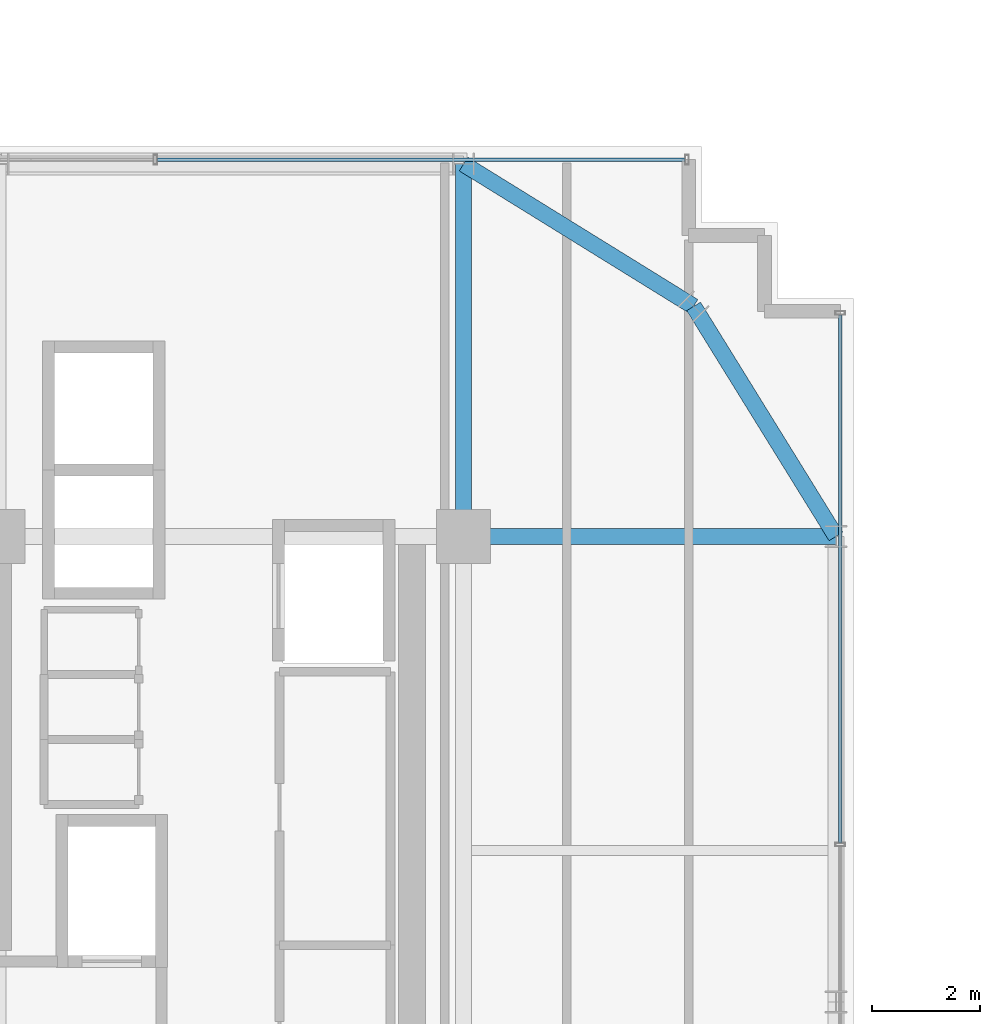
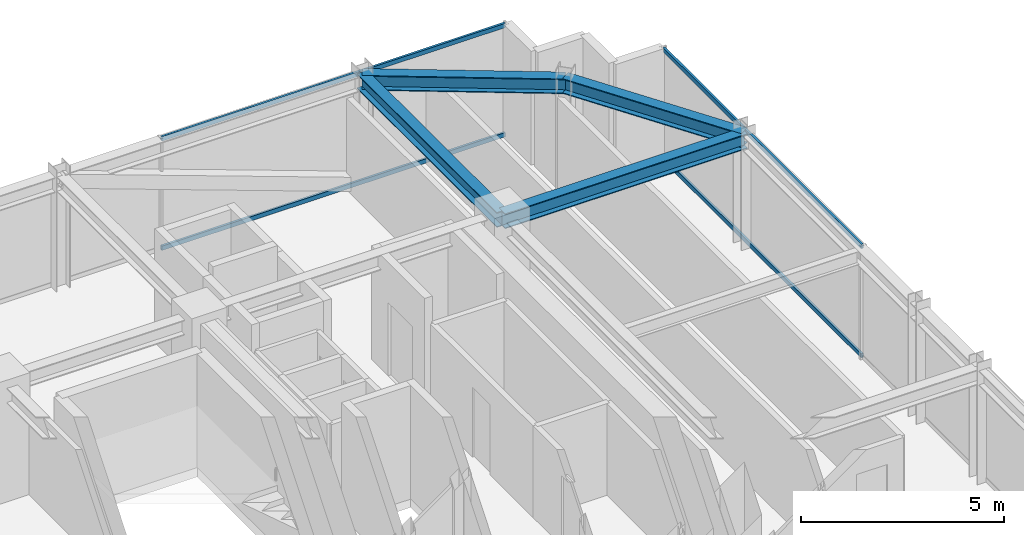
# One storey, part 27 of 36: 4 beams, 4 members, 2 elements without a shape of their own.
"""IFC4 building model written with IfcOpenShell, lengths in metres."""

from ifc_helpers import new_model, si_unit, direction, frame, origin, origin_2d, place, context, subcontext, project, spatial, hollow_rectangle, i_section, extrude, source, transform, mapped, material, material_profile, profile_set, type_object, element, aggregate, save


model = new_model("IFC4")

# Units and contexts
model_context = context("Model", 3, precision=1e-05, world=origin(), true_north=direction((0.0, 1.0)))
body_context = subcontext(model_context, "Body", "Model", "MODEL_VIEW")
ifc_project = project(units=[si_unit("LENGTHUNIT", "METRE"), si_unit("AREAUNIT", "SQUARE_METRE"), si_unit("VOLUMEUNIT", "CUBIC_METRE"), si_unit("PLANEANGLEUNIT", "RADIAN"), si_unit("MASSUNIT", "GRAM", prefix="KILO")], contexts=[model_context])

# Site, building, storey
site_placement = place(None, origin())
site = spatial("IfcSite", under=ifc_project, at=site_placement, CompositionType="ELEMENT")
building_placement = place(site_placement, origin())
building = spatial("IfcBuilding", under=site, at=building_placement, Name="Nahalor Promenade Grand Hotel", CompositionType="ELEMENT")
storey_placement = place(building_placement, frame((0.0, 0.0, 234.5)))
storey = spatial("IfcBuildingStorey", under=building, at=storey_placement, Name="L60", CompositionType="ELEMENT", Elevation=234.5)

# Beams
ifc_material_1 = material(Name="Steel S355JR", Category="steel")
ifc_material_profile_1 = material_profile(ifc_material_1, i_section(OverallWidth=0.3, OverallDepth=0.45, WebThickness=0.014, FlangeThickness=0.026, at=origin_2d()), Name="HEB 450")
ifc_profile_set_1 = profile_set([ifc_material_profile_1], Name="Steel S355JR")
beam_type_1 = type_object("IfcBeamType", Name="Beam-Spandrel-HEB450", PredefinedType="SPANDREL", material=ifc_profile_set_1)
shared_shape_1 = source(origin(), body_context, "Body", "SweptSolid", [
    extrude(i_section(OverallWidth=0.3, OverallDepth=0.45, WebThickness=0.014, FlangeThickness=0.026, at=origin_2d()), origin(), (0.0, 0.0, 1.0), 4.997802734375),
])
for number, where, z_axis, x_axis, name in (
    (1, (17.0, 23.8798828125, 3.18505859375), (0.850360908404, -0.526199891161, 0.0), (0.526199891161, 0.850360908404, 0.0), "BM-L60-SPC-NE-1"),
    (2, (21.25, 21.25, 3.18505859375), (0.526199891161, -0.850360908404, 0.0), (0.850360908404, 0.526199891161, 0.0), "BM-L60-SPC-NE-2"),
):
    element("IfcBeam", number, at=place(storey_placement, frame(where, z_axis=z_axis, x_axis=x_axis)), inside=storey, type_object=beam_type_1, Name=name, PredefinedType="SPANDREL", context=body_context, shape_type="MappedRepresentation", body=[
        mapped(shared_shape_1, transform((0.0, 0.0, 0.0), scale=1.0)),
    ])
ifc_material_profile_2 = material_profile(ifc_material_1, i_section(OverallWidth=0.3, OverallDepth=0.45, WebThickness=0.014, FlangeThickness=0.026, at=origin_2d()), Name="HEB 450")
ifc_profile_set_2 = profile_set([ifc_material_profile_2], Name="Steel S355JR")
beam_type_2 = type_object("IfcBeamType", Name="Beam-Girder-HEB450", PredefinedType="BEAM", material=ifc_profile_set_2)
shared_shape_2 = source(origin(), body_context, "Body", "SweptSolid", [
    extrude(i_section(OverallWidth=0.3, OverallDepth=0.45, WebThickness=0.014, FlangeThickness=0.026, at=origin_2d()), origin(), (0.0, 0.0, 1.0), 6.8798828125),
])
for number, where, z_axis, x_axis, name in (
    (3, (17.0, 17.0, 3.18505859375), (1.0, 0.0, 0.0), (0.0, 1.0, 0.0), "BM-L60-GX-3-6"),
    (4, (17.0, 17.0, 3.18505859375), (0.0, 1.0, 0.0), (-1.0, 0.0, 0.0), "BM-L60-GY-5-4"),
):
    element("IfcBeam", number, at=place(storey_placement, frame(where, z_axis=z_axis, x_axis=x_axis)), inside=storey, type_object=beam_type_2, Name=name, PredefinedType="BEAM", context=body_context, shape_type="MappedRepresentation", body=[
        mapped(shared_shape_2, transform((0.0, 0.0, 0.0), scale=1.0)),
    ])

# Curtain wall, members
ifc_material_2 = material(Name="Anodised Bronze Aluminium EN AW-6063 T6", Category="aluminium")
curtain_wall_type = type_object("IfcCurtainWallType", Name="CW2 Typical Hotel Flush Bronze Unitised Curtain Wall", PredefinedType="USERDEFINED", material=ifc_material_2)
curtain_wall_1_placement = place(storey_placement, origin())
curtain_wall_1 = element("IfcCurtainWall", 5, at=curtain_wall_1_placement, inside=storey, type_object=curtain_wall_type, Name="L60 Curtain Wall CW-L60-N-3", ObjectType="UNITISED_CURTAIN_WALL", PredefinedType="USERDEFINED")
ifc_material_profile_3 = material_profile(ifc_material_2, hollow_rectangle(XDim=0.065, YDim=0.13, WallThickness=0.004, at=origin_2d()), Name="CWT 65x130x4")
ifc_profile_set_3 = profile_set([ifc_material_profile_3], Name="Anodised Bronze Aluminium EN AW-6063 T6")
member_type = type_object("IfcMemberType", Name="CWT2 Typical Bronze Transom 65x130", PredefinedType="USERDEFINED", material=ifc_profile_set_3)
shared_shape_3 = source(origin(), body_context, "Body", "SweptSolid", [
    extrude(hollow_rectangle(XDim=0.065, YDim=0.13, WallThickness=0.004, at=origin_2d()), origin(), (0.0, 0.0, 1.0), 9.755859375),
])
member_1_placement = place(storey_placement, frame((11.339111328125, 23.9599609375, 0.06494140625), z_axis=(1.0, 0.0, 0.0), x_axis=(0.0, 1.0, 0.0)))
member_1 = element("IfcMember", 6, at=member_1_placement, type_object=member_type, Name="CW-L60-N-3 Transom 2-0", ObjectType="TRANSOM", PredefinedType="USERDEFINED", context=body_context, shape_type="MappedRepresentation", body=[
    mapped(shared_shape_3, transform((0.0, 0.0, 0.0), scale=1.0)),
])
member_2_placement = place(storey_placement, frame((11.339111328125, 23.9599609375, 3.344970703125), z_axis=(1.0, 0.0, 0.0), x_axis=(0.0, 1.0, 0.0)))
member_2 = element("IfcMember", 7, at=member_2_placement, type_object=member_type, Name="CW-L60-N-3 Transom 2-1", ObjectType="TRANSOM", PredefinedType="USERDEFINED", context=body_context, shape_type="MappedRepresentation", body=[
    mapped(shared_shape_3, transform((0.0, 0.0, 0.0), scale=1.0)),
])
aggregate(curtain_wall_1, [member_1, member_2])

curtain_wall_2_placement = place(storey_placement, origin())
curtain_wall_2 = element("IfcCurtainWall", 8, at=curtain_wall_2_placement, inside=storey, type_object=curtain_wall_type, Name="L60 Curtain Wall CW-L60-E-3", ObjectType="UNITISED_CURTAIN_WALL", PredefinedType="USERDEFINED")
member_3_placement = place(storey_placement, frame((23.9599609375, 11.339111328125, 0.06494140625), z_axis=(0.0, 1.0, 0.0), x_axis=(-1.0, 0.0, 0.0)))
member_3 = element("IfcMember", 9, at=member_3_placement, type_object=member_type, Name="CW-L60-E-3 Transom 2-0", ObjectType="TRANSOM", PredefinedType="USERDEFINED", context=body_context, shape_type="MappedRepresentation", body=[
    mapped(shared_shape_3, transform((0.0, 0.0, 0.0), scale=1.0)),
])
member_4_placement = place(storey_placement, frame((23.9599609375, 11.339111328125, 3.344970703125), z_axis=(0.0, 1.0, 0.0), x_axis=(-1.0, 0.0, 0.0)))
member_4 = element("IfcMember", 10, at=member_4_placement, type_object=member_type, Name="CW-L60-E-3 Transom 2-1", ObjectType="TRANSOM", PredefinedType="USERDEFINED", context=body_context, shape_type="MappedRepresentation", body=[
    mapped(shared_shape_3, transform((0.0, 0.0, 0.0), scale=1.0)),
])
aggregate(curtain_wall_2, [member_3, member_4])

save(model, "model.ifc")
